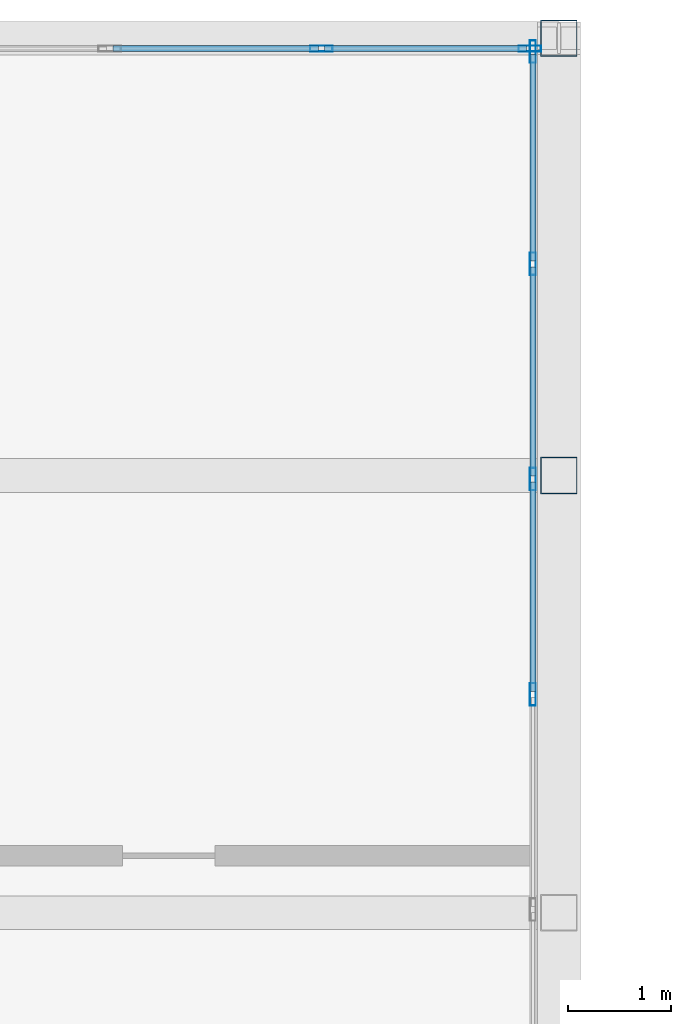
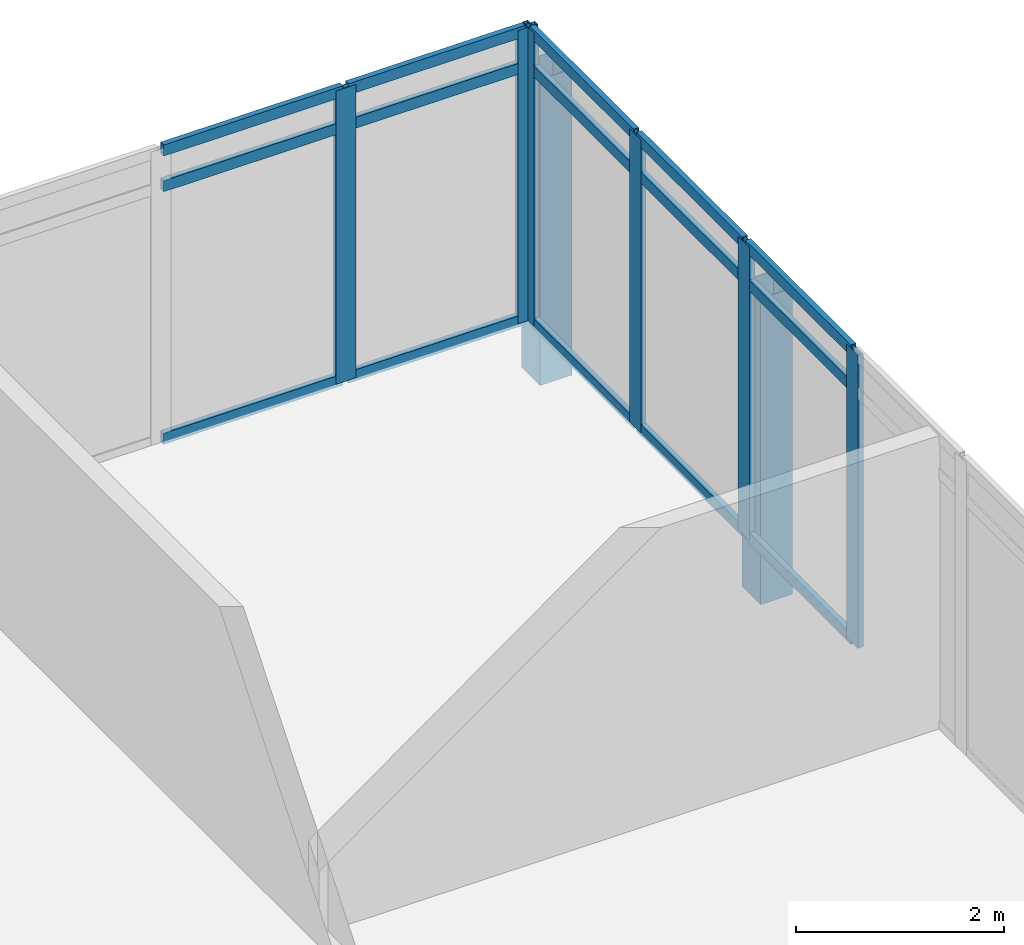
# One storey, part 26 of 37: 23 members, 2 elements without a shape of their own.
"""IFC4 building model written with IfcOpenShell, lengths in metres."""

from ifc_helpers import new_model, si_unit, direction, frame, origin, origin_2d, place, context, subcontext, project, spatial, hollow_rectangle, extrude, material, material_profile, profile_set, type_object, element, aggregate, save


model = new_model("IFC4")

# Units and contexts
model_context = context("Model", 3, precision=1e-05, world=origin(), true_north=direction((0.0, 1.0)))
body_context = subcontext(model_context, "Body", "Model", "MODEL_VIEW")
ifc_project = project(units=[si_unit("LENGTHUNIT", "METRE"), si_unit("AREAUNIT", "SQUARE_METRE"), si_unit("VOLUMEUNIT", "CUBIC_METRE"), si_unit("PLANEANGLEUNIT", "RADIAN"), si_unit("MASSUNIT", "GRAM", prefix="KILO")], contexts=[model_context])

# Site, building, storey
site_placement = place(None, origin())
site = spatial("IfcSite", under=ifc_project, at=site_placement, CompositionType="ELEMENT")
building_placement = place(site_placement, origin())
building = spatial("IfcBuilding", under=site, at=building_placement, Name="Ostrander Bayou Hotel Tower", CompositionType="ELEMENT")
storey_placement = place(building_placement, frame((0.0, 0.0, 93.0)))
storey = spatial("IfcBuildingStorey", under=building, at=storey_placement, Name="L23", CompositionType="ELEMENT", Elevation=93.0)

# Curtain wall, members
ifc_material_1 = material(Name="Aluminium and clear glass", Category="aluminium")
curtain_wall_type = type_object("IfcCurtainWallType", Name="CW-BAR glazed wall", PredefinedType="NOTDEFINED", material=ifc_material_1)
curtain_wall_1_placement = place(storey_placement, origin())
curtain_wall_1 = element("IfcCurtainWall", 1, at=curtain_wall_1_placement, inside=storey, type_object=curtain_wall_type, Name="CW-BAR L23:SB2N:T", PredefinedType="NOTDEFINED")
ifc_material_2 = material(Name="Aluminium", Category="aluminium")
ifc_material_profile_1 = material_profile(ifc_material_2, hollow_rectangle(XDim=0.06005859375, YDim=0.219970703125, WallThickness=0.00390625, at=origin_2d()))
ifc_profile_set_1 = profile_set([ifc_material_profile_1], Name="Aluminium")
member_type_1 = type_object("IfcMemberType", Name="CW-BR mullion 60 x 220 mm", PredefinedType="MULLION", material=ifc_profile_set_1)
member_1_placement = place(storey_placement, frame((11.310791015625, 31.4453125, 0.0), z_axis=(0.0, 0.0, 1.0), x_axis=(0.0, 1.0, 0.0)))
member_1 = element("IfcMember", 2, at=member_1_placement, type_object=member_type_1, Name="CW-BAR mullion 13", PredefinedType="MULLION", context=body_context, shape_type="SweptSolid", body=[
    extrude(hollow_rectangle(XDim=0.06005859375, YDim=0.219970703125, WallThickness=0.00390625, at=origin_2d()), origin(), (0.0, 0.0, 1.0), 3.449951171875),
])
member_2_placement = place(storey_placement, frame((13.337158203125, 31.4453125, 0.0), z_axis=(0.0, 0.0, 1.0), x_axis=(0.0, 1.0, 0.0)))
member_2 = element("IfcMember", 3, at=member_2_placement, type_object=member_type_1, Name="CW-BAR mullion 14", PredefinedType="MULLION", context=body_context, shape_type="SweptSolid", body=[
    extrude(hollow_rectangle(XDim=0.06005859375, YDim=0.219970703125, WallThickness=0.00390625, at=origin_2d()), origin(), (0.0, 0.0, 1.0), 3.449951171875),
])

curtain_wall_2_placement = place(storey_placement, origin())
curtain_wall_2 = element("IfcCurtainWall", 4, at=curtain_wall_2_placement, inside=storey, type_object=curtain_wall_type, Name="CW-BAR L23:SB2N:W", PredefinedType="NOTDEFINED")
member_3_placement = place(storey_placement, frame((13.3671875, 25.167724609375, 0.0), z_axis=(0.0, 0.0, 1.0), x_axis=(-1.0, 0.0, 0.0)))
member_3 = element("IfcMember", 5, at=member_3_placement, type_object=member_type_1, Name="CW-BAR mullion 8", PredefinedType="MULLION", context=body_context, shape_type="SweptSolid", body=[
    extrude(hollow_rectangle(XDim=0.06005859375, YDim=0.219970703125, WallThickness=0.00390625, at=origin_2d()), origin(), (0.0, 0.0, 1.0), 3.449951171875),
])
member_4_placement = place(storey_placement, frame((13.3671875, 27.26025390625, 0.0), z_axis=(0.0, 0.0, 1.0), x_axis=(-1.0, 0.0, 0.0)))
member_4 = element("IfcMember", 6, at=member_4_placement, type_object=member_type_1, Name="CW-BAR mullion 9", PredefinedType="MULLION", context=body_context, shape_type="SweptSolid", body=[
    extrude(hollow_rectangle(XDim=0.06005859375, YDim=0.219970703125, WallThickness=0.00390625, at=origin_2d()), origin(), (0.0, 0.0, 1.0), 3.449951171875),
])
member_5_placement = place(storey_placement, frame((13.3671875, 29.352783203125, 0.0), z_axis=(0.0, 0.0, 1.0), x_axis=(-1.0, 0.0, 0.0)))
member_5 = element("IfcMember", 7, at=member_5_placement, type_object=member_type_1, Name="CW-BAR mullion 10", PredefinedType="MULLION", context=body_context, shape_type="SweptSolid", body=[
    extrude(hollow_rectangle(XDim=0.06005859375, YDim=0.219970703125, WallThickness=0.00390625, at=origin_2d()), origin(), (0.0, 0.0, 1.0), 3.449951171875),
])
member_6_placement = place(storey_placement, frame((13.3671875, 31.415283203125, 0.0), z_axis=(0.0, 0.0, 1.0), x_axis=(-1.0, 0.0, 0.0)))
member_6 = element("IfcMember", 8, at=member_6_placement, type_object=member_type_1, Name="CW-BAR mullion 11", PredefinedType="MULLION", context=body_context, shape_type="SweptSolid", body=[
    extrude(hollow_rectangle(XDim=0.06005859375, YDim=0.219970703125, WallThickness=0.00390625, at=origin_2d()), origin(), (0.0, 0.0, 1.0), 3.449951171875),
])

# Member
ifc_material_3 = material(Name="Aluminium", Category="aluminium")
ifc_material_profile_2 = material_profile(ifc_material_3, hollow_rectangle(XDim=0.06005859375, YDim=0.1298828125, WallThickness=0.00390625, at=origin_2d()))
ifc_profile_set_2 = profile_set([ifc_material_profile_2], Name="Aluminium")
member_type_2 = type_object("IfcMemberType", Name="CW-BR transom 60 x 130 mm", PredefinedType="USERDEFINED", material=ifc_profile_set_2)
member_7_placement = place(storey_placement, frame((9.2841796875, 31.4453125, 0.030029296875), z_axis=(1.0, 0.0, 0.0), x_axis=(0.0, 1.0, 0.0)))
member_7 = element("IfcMember", 9, at=member_7_placement, type_object=member_type_2, Name="CW-BAR transom 12.1", ObjectType="TRANSOM", PredefinedType="USERDEFINED", context=body_context, shape_type="SweptSolid", body=[
    extrude(hollow_rectangle(XDim=0.06005859375, YDim=0.1298828125, WallThickness=0.00390625, at=origin_2d()), origin(), (0.0, 0.0, 1.0), 1.99658203125),
])

member_8_placement = place(storey_placement, frame((9.2841796875, 31.4453125, 3.0), z_axis=(1.0, 0.0, 0.0), x_axis=(0.0, 1.0, 0.0)))
member_8 = element("IfcMember", 10, at=member_8_placement, type_object=member_type_2, Name="CW-BAR transom 12.2", ObjectType="TRANSOM", PredefinedType="USERDEFINED", context=body_context, shape_type="SweptSolid", body=[
    extrude(hollow_rectangle(XDim=0.06005859375, YDim=0.1298828125, WallThickness=0.00390625, at=origin_2d()), origin(), (0.0, 0.0, 1.0), 1.99658203125),
])

member_9_placement = place(storey_placement, frame((9.2841796875, 31.4453125, 3.419921875), z_axis=(1.0, 0.0, 0.0), x_axis=(0.0, 1.0, 0.0)))
member_9 = element("IfcMember", 11, at=member_9_placement, type_object=member_type_2, Name="CW-BAR transom 12.3", ObjectType="TRANSOM", PredefinedType="USERDEFINED", context=body_context, shape_type="SweptSolid", body=[
    extrude(hollow_rectangle(XDim=0.06005859375, YDim=0.1298828125, WallThickness=0.00390625, at=origin_2d()), origin(), (0.0, 0.0, 1.0), 1.99658203125),
])

member_10_placement = place(storey_placement, frame((11.3408203125, 31.4453125, 0.030029296875), z_axis=(1.0, 0.0, 0.0), x_axis=(0.0, 1.0, 0.0)))
member_10 = element("IfcMember", 12, at=member_10_placement, type_object=member_type_2, Name="CW-BAR transom 13.1", ObjectType="TRANSOM", PredefinedType="USERDEFINED", context=body_context, shape_type="SweptSolid", body=[
    extrude(hollow_rectangle(XDim=0.06005859375, YDim=0.1298828125, WallThickness=0.00390625, at=origin_2d()), origin(), (0.0, 0.0, 1.0), 1.96630859375),
])

member_11_placement = place(storey_placement, frame((11.3408203125, 31.4453125, 3.0), z_axis=(1.0, 0.0, 0.0), x_axis=(0.0, 1.0, 0.0)))
member_11 = element("IfcMember", 13, at=member_11_placement, type_object=member_type_2, Name="CW-BAR transom 13.2", ObjectType="TRANSOM", PredefinedType="USERDEFINED", context=body_context, shape_type="SweptSolid", body=[
    extrude(hollow_rectangle(XDim=0.06005859375, YDim=0.1298828125, WallThickness=0.00390625, at=origin_2d()), origin(), (0.0, 0.0, 1.0), 1.96630859375),
])

member_12_placement = place(storey_placement, frame((11.3408203125, 31.4453125, 3.419921875), z_axis=(1.0, 0.0, 0.0), x_axis=(0.0, 1.0, 0.0)))
member_12 = element("IfcMember", 14, at=member_12_placement, type_object=member_type_2, Name="CW-BAR transom 13.3", ObjectType="TRANSOM", PredefinedType="USERDEFINED", context=body_context, shape_type="SweptSolid", body=[
    extrude(hollow_rectangle(XDim=0.06005859375, YDim=0.1298828125, WallThickness=0.00390625, at=origin_2d()), origin(), (0.0, 0.0, 1.0), 1.96630859375),
])

aggregate(curtain_wall_1, [member_1, member_2, member_7, member_8, member_9, member_10, member_11, member_12])

member_13_placement = place(storey_placement, frame((13.3671875, 25.19775390625, 0.030029296875), z_axis=(0.0, 1.0, 0.0), x_axis=(-1.0, 0.0, 0.0)))
member_13 = element("IfcMember", 15, at=member_13_placement, type_object=member_type_2, Name="CW-BAR transom 8.1", ObjectType="TRANSOM", PredefinedType="USERDEFINED", context=body_context, shape_type="SweptSolid", body=[
    extrude(hollow_rectangle(XDim=0.06005859375, YDim=0.1298828125, WallThickness=0.00390625, at=origin_2d()), origin(), (0.0, 0.0, 1.0), 2.032470703125),
])

member_14_placement = place(storey_placement, frame((13.3671875, 25.19775390625, 3.0), z_axis=(0.0, 1.0, 0.0), x_axis=(-1.0, 0.0, 0.0)))
member_14 = element("IfcMember", 16, at=member_14_placement, type_object=member_type_2, Name="CW-BAR transom 8.2", ObjectType="TRANSOM", PredefinedType="USERDEFINED", context=body_context, shape_type="SweptSolid", body=[
    extrude(hollow_rectangle(XDim=0.06005859375, YDim=0.1298828125, WallThickness=0.00390625, at=origin_2d()), origin(), (0.0, 0.0, 1.0), 2.032470703125),
])

member_15_placement = place(storey_placement, frame((13.3671875, 25.19775390625, 3.419921875), z_axis=(0.0, 1.0, 0.0), x_axis=(-1.0, 0.0, 0.0)))
member_15 = element("IfcMember", 17, at=member_15_placement, type_object=member_type_2, Name="CW-BAR transom 8.3", ObjectType="TRANSOM", PredefinedType="USERDEFINED", context=body_context, shape_type="SweptSolid", body=[
    extrude(hollow_rectangle(XDim=0.06005859375, YDim=0.1298828125, WallThickness=0.00390625, at=origin_2d()), origin(), (0.0, 0.0, 1.0), 2.032470703125),
])

member_16_placement = place(storey_placement, frame((13.3671875, 27.290283203125, 0.030029296875), z_axis=(0.0, 1.0, 0.0), x_axis=(-1.0, 0.0, 0.0)))
member_16 = element("IfcMember", 18, at=member_16_placement, type_object=member_type_2, Name="CW-BAR transom 9.1", ObjectType="TRANSOM", PredefinedType="USERDEFINED", context=body_context, shape_type="SweptSolid", body=[
    extrude(hollow_rectangle(XDim=0.06005859375, YDim=0.1298828125, WallThickness=0.00390625, at=origin_2d()), origin(), (0.0, 0.0, 1.0), 2.032470703125),
])

member_17_placement = place(storey_placement, frame((13.3671875, 27.290283203125, 3.0), z_axis=(0.0, 1.0, 0.0), x_axis=(-1.0, 0.0, 0.0)))
member_17 = element("IfcMember", 19, at=member_17_placement, type_object=member_type_2, Name="CW-BAR transom 9.2", ObjectType="TRANSOM", PredefinedType="USERDEFINED", context=body_context, shape_type="SweptSolid", body=[
    extrude(hollow_rectangle(XDim=0.06005859375, YDim=0.1298828125, WallThickness=0.00390625, at=origin_2d()), origin(), (0.0, 0.0, 1.0), 2.032470703125),
])

member_18_placement = place(storey_placement, frame((13.3671875, 27.290283203125, 3.419921875), z_axis=(0.0, 1.0, 0.0), x_axis=(-1.0, 0.0, 0.0)))
member_18 = element("IfcMember", 20, at=member_18_placement, type_object=member_type_2, Name="CW-BAR transom 9.3", ObjectType="TRANSOM", PredefinedType="USERDEFINED", context=body_context, shape_type="SweptSolid", body=[
    extrude(hollow_rectangle(XDim=0.06005859375, YDim=0.1298828125, WallThickness=0.00390625, at=origin_2d()), origin(), (0.0, 0.0, 1.0), 2.032470703125),
])

member_19_placement = place(storey_placement, frame((13.3671875, 29.3828125, 0.030029296875), z_axis=(0.0, 1.0, 0.0), x_axis=(-1.0, 0.0, 0.0)))
member_19 = element("IfcMember", 21, at=member_19_placement, type_object=member_type_2, Name="CW-BAR transom 10.1", ObjectType="TRANSOM", PredefinedType="USERDEFINED", context=body_context, shape_type="SweptSolid", body=[
    extrude(hollow_rectangle(XDim=0.06005859375, YDim=0.1298828125, WallThickness=0.00390625, at=origin_2d()), origin(), (0.0, 0.0, 1.0), 2.002685546875),
])

member_20_placement = place(storey_placement, frame((13.3671875, 29.3828125, 3.0), z_axis=(0.0, 1.0, 0.0), x_axis=(-1.0, 0.0, 0.0)))
member_20 = element("IfcMember", 22, at=member_20_placement, type_object=member_type_2, Name="CW-BAR transom 10.2", ObjectType="TRANSOM", PredefinedType="USERDEFINED", context=body_context, shape_type="SweptSolid", body=[
    extrude(hollow_rectangle(XDim=0.06005859375, YDim=0.1298828125, WallThickness=0.00390625, at=origin_2d()), origin(), (0.0, 0.0, 1.0), 2.002685546875),
])

member_21_placement = place(storey_placement, frame((13.3671875, 29.3828125, 3.419921875), z_axis=(0.0, 1.0, 0.0), x_axis=(-1.0, 0.0, 0.0)))
member_21 = element("IfcMember", 23, at=member_21_placement, type_object=member_type_2, Name="CW-BAR transom 10.3", ObjectType="TRANSOM", PredefinedType="USERDEFINED", context=body_context, shape_type="SweptSolid", body=[
    extrude(hollow_rectangle(XDim=0.06005859375, YDim=0.1298828125, WallThickness=0.00390625, at=origin_2d()), origin(), (0.0, 0.0, 1.0), 2.002685546875),
])

aggregate(curtain_wall_2, [member_3, member_4, member_5, member_6, member_13, member_14, member_15, member_16, member_17, member_18, member_19, member_20, member_21])

# Members
ifc_material_4 = material(Name="Steel ASTM A500 Gr C", Category="steel")
ifc_material_profile_3 = material_profile(ifc_material_4, hollow_rectangle(XDim=0.355712890625, YDim=0.355712890625, WallThickness=0.0087890625, at=origin_2d()))
ifc_profile_set_3 = profile_set([ifc_material_profile_3], Name="Steel ASTM A500 Gr C")
member_type_3 = type_object("IfcMemberType", Name="TH3 bar hanger HSS14x14x3/8", PredefinedType="POST", material=ifc_profile_set_3)
for number, where, z_axis, x_axis, name in (
    (24, (13.6201171875, 31.54541015625, -0.771728515625), (0.0, 0.0, 1.0), (1.0, 0.0, 0.0), "TH3 SB2WB H1-1"),
    (25, (13.6201171875, 27.295654296875, -0.771728515625), (0.0, 0.0, 1.0), (1.0, 0.0, 0.0), "TH3 SB2WB H2-1"),
):
    element("IfcMember", number, at=place(storey_placement, frame(where, z_axis=z_axis, x_axis=x_axis)), inside=storey, type_object=member_type_3, Name=name, PredefinedType="POST", context=body_context, shape_type="SweptSolid", body=[
        extrude(hollow_rectangle(XDim=0.355712890625, YDim=0.355712890625, WallThickness=0.0087890625, at=origin_2d()), origin(), (0.0, 0.0, 1.0), 3.599853515625),
    ])

save(model, "model.ifc")
